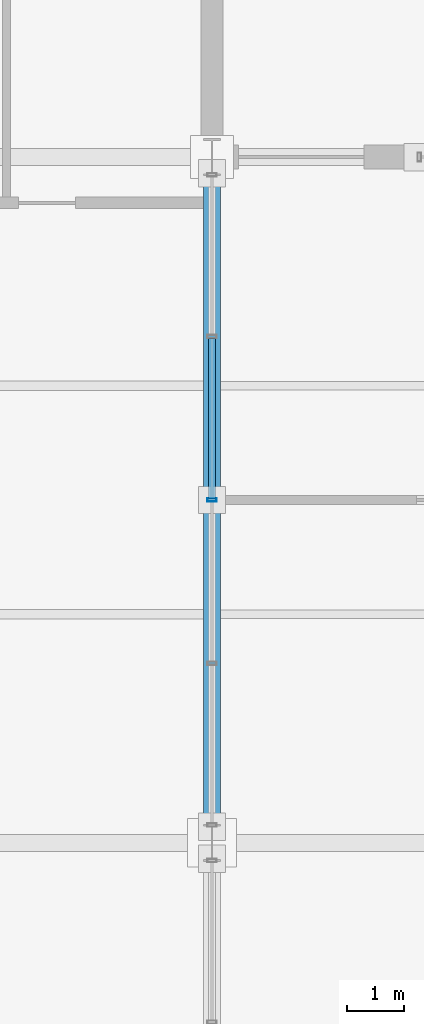
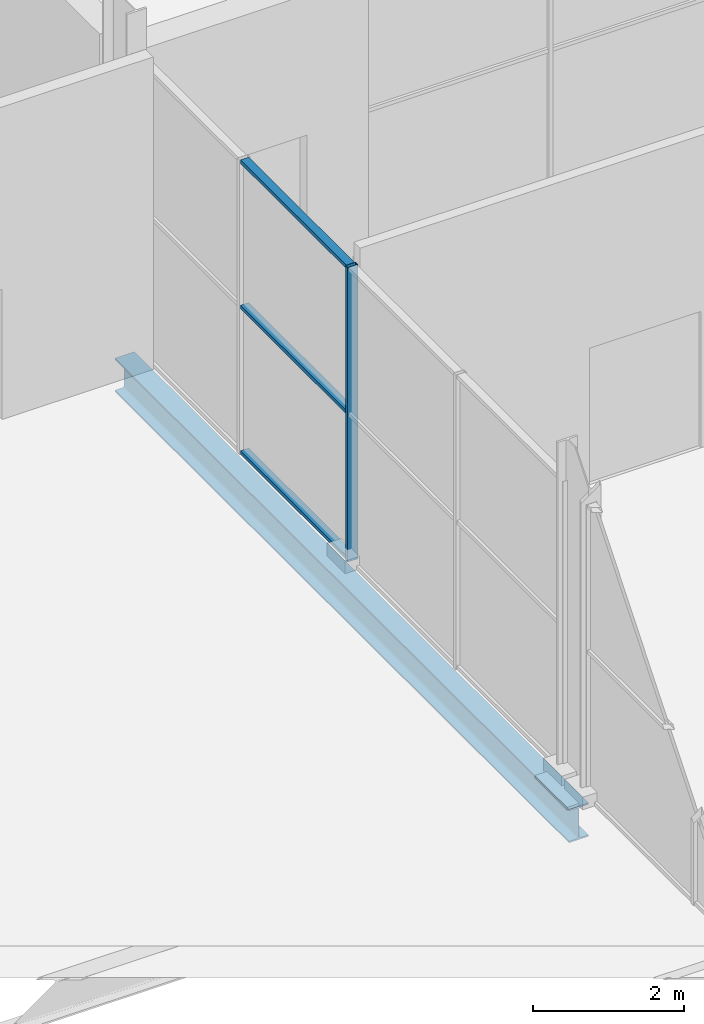
# One storey, part 100 of 196: 4 members, 1 beam, 1 element without a shape of its own.
"""IFC4 building model written with IfcOpenShell, lengths in metres."""

from ifc_helpers import new_model, si_unit, direction, frame, origin, origin_2d, place, context, subcontext, project, spatial, hollow_rectangle, i_section, extrude, material, material_profile, profile_set, type_object, element, aggregate, save


model = new_model("IFC4")

# Units and contexts
model_context = context("Model", 3, precision=1e-05, world=origin(), true_north=direction((0.0, 1.0)))
body_context = subcontext(model_context, "Body", "Model", "MODEL_VIEW")
ifc_project = project(units=[si_unit("LENGTHUNIT", "METRE"), si_unit("AREAUNIT", "SQUARE_METRE"), si_unit("VOLUMEUNIT", "CUBIC_METRE"), si_unit("PLANEANGLEUNIT", "RADIAN"), si_unit("MASSUNIT", "GRAM", prefix="KILO")], contexts=[model_context])

# Site, building, storey
site_placement = place(None, origin())
site = spatial("IfcSite", under=ifc_project, at=site_placement, CompositionType="ELEMENT")
building_placement = place(site_placement, origin())
building = spatial("IfcBuilding", under=site, at=building_placement, Name="Merenkruunu Market Hall", CompositionType="ELEMENT")
storey_placement = place(building_placement, origin())
storey = spatial("IfcBuildingStorey", under=building, at=storey_placement, Name="L00", CompositionType="ELEMENT", Elevation=0.0)

# Curtain wall, members
ifc_material_1 = material(Name="Powder-coated aluminium", Category="aluminium")
curtain_wall_type = type_object("IfcCurtainWallType", Name="Glazed Curtain Wall CW02", PredefinedType="USERDEFINED", material=ifc_material_1)
curtain_wall_placement = place(storey_placement, origin())
curtain_wall = element("IfcCurtainWall", 1, at=curtain_wall_placement, inside=storey, type_object=curtain_wall_type, Name="CW-L00-CWM01-135", ObjectType="GLAZED_FACADE", PredefinedType="USERDEFINED")
ifc_material_profile_1 = material_profile(ifc_material_1, hollow_rectangle(XDim=0.06005859375, YDim=0.159912109375, WallThickness=0.00390625, at=origin_2d()), Name="ALU 60x160x4")
ifc_profile_set_1 = profile_set([ifc_material_profile_1], Name="Powder-coated aluminium")
member_type_1 = type_object("IfcMemberType", Name="Curtain Wall Mullion CWM01", PredefinedType="MULLION", material=ifc_profile_set_1)
member_1_placement = place(storey_placement, frame((57.60009765625, 93.60009765625, 0.0), z_axis=(0.0, 0.0, 1.0), x_axis=(0.0, 1.0, 0.0)))
member_1 = element("IfcMember", 2, at=member_1_placement, type_object=member_type_1, Name="CW02 mullion 3", PredefinedType="MULLION", context=body_context, shape_type="SweptSolid", body=[
    extrude(hollow_rectangle(XDim=0.06005859375, YDim=0.159912109375, WallThickness=0.00390625, at=origin_2d()), origin(), (0.0, 0.0, 1.0), 4.75),
])
ifc_material_profile_2 = material_profile(ifc_material_1, hollow_rectangle(XDim=0.06005859375, YDim=0.125, WallThickness=0.00390625, at=origin_2d()), Name="ALU 60x125x4")
ifc_profile_set_2 = profile_set([ifc_material_profile_2], Name="Powder-coated aluminium")
member_type_2 = type_object("IfcMemberType", Name="Curtain Wall Transom CWT01", PredefinedType="USERDEFINED", material=ifc_profile_set_2)
member_2_placement = place(storey_placement, frame((57.60009765625, 93.6298828125, 0.030029296875), z_axis=(0.0, 1.0, 0.0), x_axis=(0.0, 0.0, 1.0)))
member_2 = element("IfcMember", 3, at=member_2_placement, type_object=member_type_2, Name="CW02 transom 3.1", ObjectType="TRANSOM", PredefinedType="USERDEFINED", context=body_context, shape_type="SweptSolid", body=[
    extrude(hollow_rectangle(XDim=0.06005859375, YDim=0.125, WallThickness=0.00390625, at=origin_2d()), origin(), (0.0, 0.0, 1.0), 2.800048828125),
])
member_3_placement = place(storey_placement, frame((57.60009765625, 93.6298828125, 2.375), z_axis=(0.0, 1.0, 0.0), x_axis=(0.0, 0.0, 1.0)))
member_3 = element("IfcMember", 4, at=member_3_placement, type_object=member_type_2, Name="CW02 transom 3.2", ObjectType="TRANSOM", PredefinedType="USERDEFINED", context=body_context, shape_type="SweptSolid", body=[
    extrude(hollow_rectangle(XDim=0.06005859375, YDim=0.125, WallThickness=0.00390625, at=origin_2d()), origin(), (0.0, 0.0, 1.0), 2.800048828125),
])
member_4_placement = place(storey_placement, frame((57.60009765625, 93.6298828125, 4.719970703125), z_axis=(0.0, 1.0, 0.0), x_axis=(0.0, 0.0, 1.0)))
member_4 = element("IfcMember", 5, at=member_4_placement, type_object=member_type_2, Name="CW02 transom 3.3", ObjectType="TRANSOM", PredefinedType="USERDEFINED", context=body_context, shape_type="SweptSolid", body=[
    extrude(hollow_rectangle(XDim=0.06005859375, YDim=0.125, WallThickness=0.00390625, at=origin_2d()), origin(), (0.0, 0.0, 1.0), 2.800048828125),
])
aggregate(curtain_wall, [member_1, member_2, member_3, member_4])

# Beam
ifc_material_2 = material(Name="Steel S355J2", Category="steel")
ifc_material_profile_3 = material_profile(ifc_material_2, i_section(OverallWidth=0.300048828125, OverallDepth=0.5400390625, WebThickness=0.012451171875, FlangeThickness=0.02392578125, FilletRadius=0.027099609375, at=origin_2d()), Name="HEA 550")
ifc_profile_set_3 = profile_set([ifc_material_profile_3], Name="Steel S355J2")
beam_type = type_object("IfcBeamType", Name="Primary Floor Girder B06", PredefinedType="BEAM", material=ifc_profile_set_3)
beam_placement = place(storey_placement, frame((57.60009765625, 87.60009765625, -0.610107421875), z_axis=(0.0, 1.0, 0.0), x_axis=(-1.0, 0.0, 0.0)))
element("IfcBeam", 6, at=beam_placement, inside=storey, type_object=beam_type, Name="BM-L00-B06-0192", PredefinedType="BEAM", context=body_context, shape_type="SweptSolid", body=[
    extrude(i_section(OverallWidth=0.300048828125, OverallDepth=0.5400390625, WebThickness=0.012451171875, FlangeThickness=0.02392578125, FilletRadius=0.027099609375, at=origin_2d()), origin(), (0.0, 0.0, 1.0), 12.0),
])

save(model, "model.ifc")
